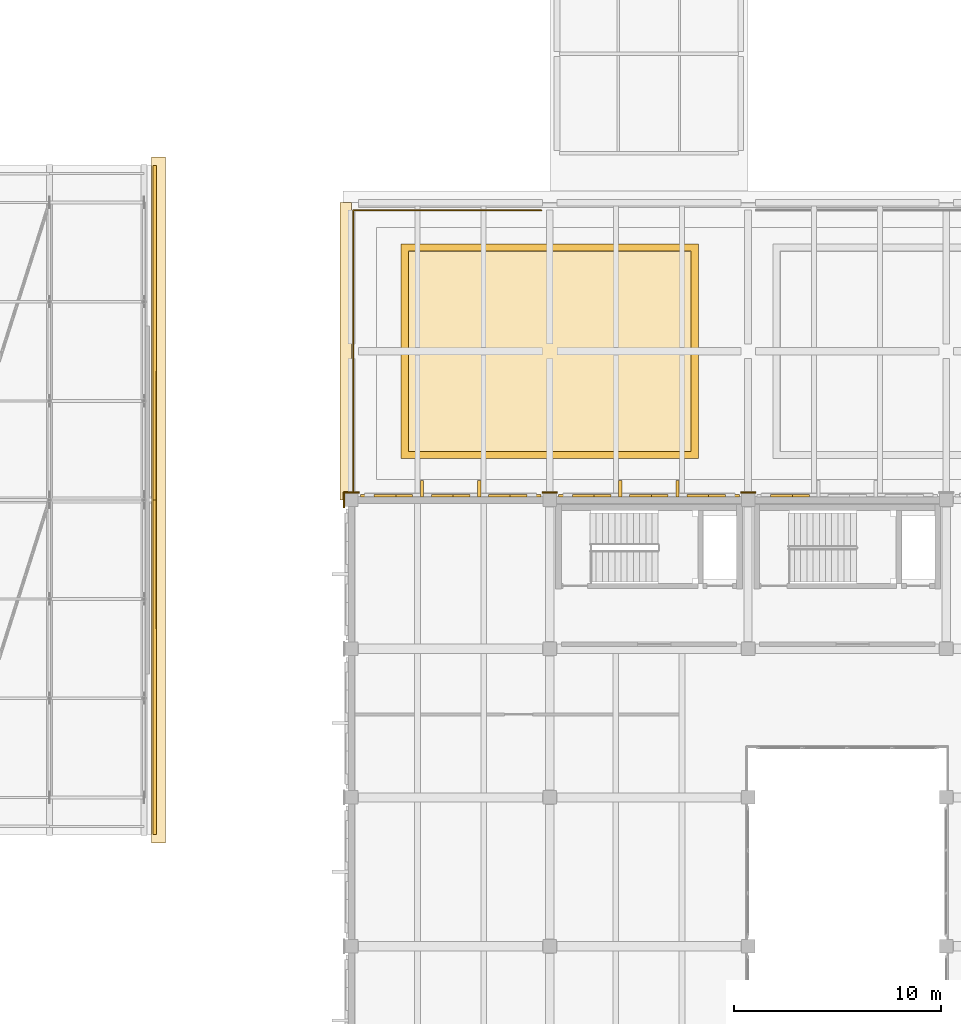
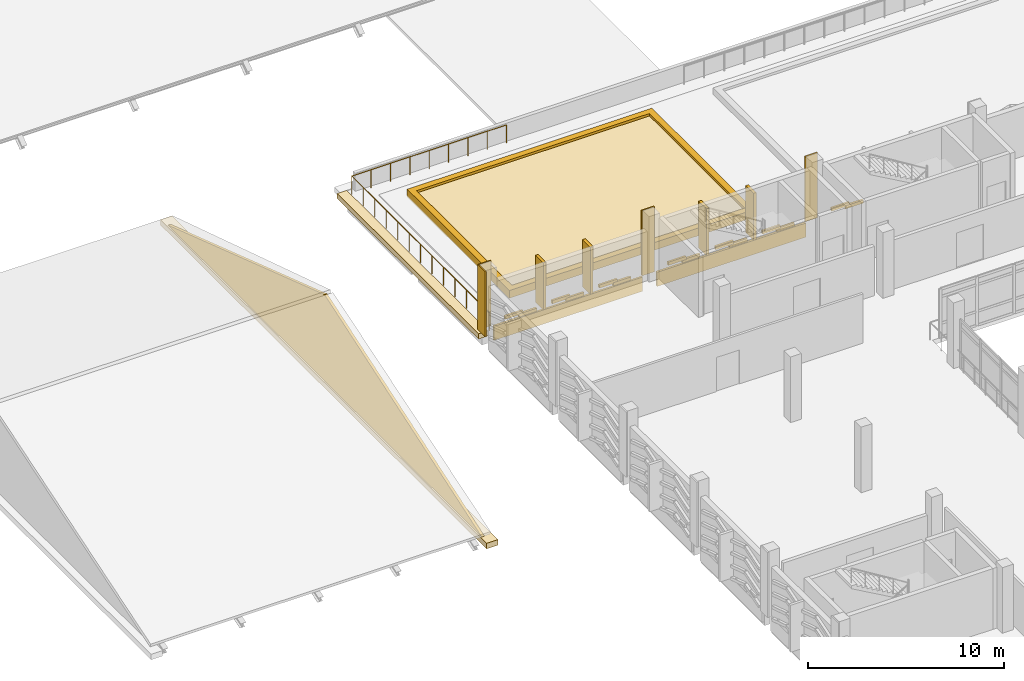
# One storey, part 125 of 134: 29 coverings, 1 railing.
"""IFC4 building model written with IfcOpenShell, lengths in metres."""

import ifcopenshell
import ifcopenshell.guid

model = None  # the IFC model being written
_history = None  # IfcOwnerHistory: only IFC2X3 demands one
_inside = {}  # id of a spatial element -> (the spatial element, [elements in it])
_under = {}  # id of a project, library or spatial element -> (it, [spatial elements below it])
_declared = {}  # id of a project -> (the project, [libraries it declares])
_typed = {}  # id of a type object -> (the type object, [elements of that type])
_made_of = {}  # id of a material, layer set ... -> (it, [elements and type objects made of it])


def new_model(schema):
    """Start an empty IFC model of exactly this schema.

    Asked for "IFC4X3", IfcOpenShell would pick the latest addendum, in which some entities
    have other attributes; the version numbers below select the first issue.
    IFC2X3 requires an IfcOwnerHistory on every rooted entity: one is made here for all.
    """
    global model, _history
    if schema == "IFC4X3":
        model = ifcopenshell.file(schema_version=(4, 3, 0, 0))
    else:
        model = ifcopenshell.file(schema=schema)
    _inside.clear()
    _under.clear()
    _declared.clear()
    _typed.clear()
    _made_of.clear()
    _history = None
    if model.schema == "IFC2X3":
        org = make("IfcOrganization", Name="unknown")
        user = make(
            "IfcPersonAndOrganization",
            ThePerson=make("IfcPerson", FamilyName="unknown"),
            TheOrganization=org,
        )
        app = make(
            "IfcApplication",
            ApplicationDeveloper=org,
            Version="unknown",
            ApplicationFullName="unknown",
            ApplicationIdentifier="unknown",
        )
        _history = make(
            "IfcOwnerHistory",
            OwningUser=user,
            OwningApplication=app,
            ChangeAction="ADDED",
            CreationDate=0,
        )
    return model


def make(cls, **values):
    """One entity of the class cls with the attributes given. An attribute that is None is left unset."""
    return model.create_entity(
        cls, **{name: value for name, value in values.items() if value is not None}
    )


def rooted(cls, **values):
    """An entity with a GlobalId (a new one), such as an element, a storey or a relation."""
    return make(cls, GlobalId=ifcopenshell.guid.new(), OwnerHistory=_history, **values)


def si_unit(unit_type, name, prefix=None):
    """IfcSIUnit, for example si_unit("LENGTHUNIT", "METRE", prefix="MILLI")."""
    return make("IfcSIUnit", UnitType=unit_type, Prefix=prefix, Name=name)


def assignment(units):
    """IfcUnitAssignment: the units of a project."""
    return None if units is None else make("IfcUnitAssignment", Units=units)


def point(xyz):
    """IfcCartesianPoint."""
    return None if xyz is None else make("IfcCartesianPoint", Coordinates=xyz)


def direction(xyz):
    """IfcDirection."""
    return None if xyz is None else make("IfcDirection", DirectionRatios=xyz)


def frame(location, z_axis=None, x_axis=None):
    """IfcAxis2Placement3D, a coordinate frame: its origin and axes. An axis left out is left unset."""
    return make(
        "IfcAxis2Placement3D",
        Location=point(location),
        Axis=direction(z_axis),
        RefDirection=direction(x_axis),
    )


def frame_2d(location, x_axis=None):
    """IfcAxis2Placement2D, a coordinate frame in the plane: its origin and x axis."""
    return make(
        "IfcAxis2Placement2D", Location=point(location), RefDirection=direction(x_axis)
    )


def origin():
    """The frame at (0, 0, 0) with its axes left unset."""
    return frame((0.0, 0.0, 0.0))


def origin_2d():
    """The frame at (0, 0) in the plane with its x axis left unset."""
    return frame_2d((0.0, 0.0))


def place(relative_to, where):
    """IfcLocalPlacement: puts the frame where relative to a parent placement (None: the world)."""
    return make(
        "IfcLocalPlacement", PlacementRelTo=relative_to, RelativePlacement=where
    )


def context(
    kind, dimensions, precision=None, world=None, true_north=None, identifier=None
):
    """IfcGeometricRepresentationContext, for example the 3D "Model" context."""
    return make(
        "IfcGeometricRepresentationContext",
        ContextIdentifier=identifier,
        ContextType=kind,
        CoordinateSpaceDimension=dimensions,
        Precision=precision,
        WorldCoordinateSystem=world,
        TrueNorth=true_north,
    )


def subcontext(parent, identifier, kind, view, scale=None):
    """IfcGeometricRepresentationSubContext, for example "Body" below "Model"."""
    return make(
        "IfcGeometricRepresentationSubContext",
        ContextIdentifier=identifier,
        ContextType=kind,
        ParentContext=parent,
        TargetScale=scale,
        TargetView=view,
    )


def project(units=None, contexts=None):
    """IfcProject with its units and contexts."""
    return rooted(
        "IfcProject",
        Name="project",
        RepresentationContexts=contexts,
        UnitsInContext=assignment(units),
    )


def spatial(cls, under=None, at=None, **own):
    """A site, building, storey or space (cls), placed at a placement, below another one or the project."""
    s = rooted(cls, ObjectPlacement=at, **own)
    if under is not None:
        _under.setdefault(under.id(), (under, []))[1].append(s)
    return s


def polyline(points):
    """IfcPolyline through the points."""
    return make("IfcPolyline", Points=[point(p) for p in points])


def profile(cls, at=None, kind="AREA", **sizes):
    """A parametric profile (cls). Its sizes go by their IFC names, for example OverallWidth=200.0."""
    return make(cls, ProfileType=kind, Position=at, **sizes)


def rectangle(**sizes):
    """IfcRectangleProfileDef."""
    return profile("IfcRectangleProfileDef", **sizes)


def circle(**sizes):
    """IfcCircleProfileDef."""
    return profile("IfcCircleProfileDef", **sizes)


def outline(outer, holes=None, kind="AREA"):
    """IfcArbitraryClosedProfileDef: a profile drawn as a closed curve; with holes, ...WithVoids."""
    if holes is None:
        return make("IfcArbitraryClosedProfileDef", ProfileType=kind, OuterCurve=outer)
    return make(
        "IfcArbitraryProfileDefWithVoids",
        ProfileType=kind,
        OuterCurve=outer,
        InnerCurves=holes,
    )


def extrude(swept, where, along, depth):
    """IfcExtrudedAreaSolid: the profile swept, set in the frame where, extruded along a direction by depth."""
    return make(
        "IfcExtrudedAreaSolid",
        SweptArea=swept,
        Position=where,
        ExtrudedDirection=direction(along),
        Depth=depth,
    )


def shape(context_of_items, identifier, shape_type, items):
    """IfcShapeRepresentation: the items that make up one representation, for example the "Body"."""
    return make(
        "IfcShapeRepresentation",
        ContextOfItems=context_of_items,
        RepresentationIdentifier=identifier,
        RepresentationType=shape_type,
        Items=items,
    )


def material(Name=None, Category=None):
    """IfcMaterial."""
    return make("IfcMaterial", Name=Name, Category=Category)


def layer(
    of_material, thickness, ventilated=None, Name=None, Category=None, Priority=None
):
    """IfcMaterialLayer: one layer of a wall or slab, of a material (None: an air gap)."""
    return make(
        "IfcMaterialLayer",
        Material=of_material,
        LayerThickness=thickness,
        IsVentilated=ventilated,
        Name=Name,
        Category=Category,
        Priority=Priority,
    )


def layer_set(layers, Name=None):
    """IfcMaterialLayerSet."""
    return make("IfcMaterialLayerSet", MaterialLayers=layers, LayerSetName=Name)


def made_of(thing, what):
    """Note that an element or type object is made of a material, layer set ...; save() writes the relation."""
    if what is not None:
        _made_of.setdefault(what.id(), (what, []))[1].append(thing)
    return thing


def type_object(cls, material=None, **own):
    """A type object (cls), such as IfcWallType, which elements share."""
    return made_of(rooted(cls, **own), material)


def element(
    cls,
    number,
    at=None,
    inside=None,
    cuts=None,
    type_object=None,
    material=None,
    context=None,
    identifier="Body",
    shape_type=None,
    held_by="IfcProductDefinitionShape",
    body=None,
    shapes=None,
    **own,
):
    """One element of the class cls, such as IfcWall. Its Tag is "e" and its number.

    at: its placement. inside: the storey or other place that contains it. cuts: it is an
    opening in that element (IfcRelVoidsElement). A single representation is given by context,
    identifier, shape_type and body (its items); several are given by shapes. held_by: the class
    of the entity that holds the representations. save() writes the other relations.
    """
    e = rooted(cls, Tag="e%d" % number, ObjectPlacement=at, **own)
    if body is not None:
        shapes = [shape(context, identifier, shape_type, body)]
    if shapes is not None:
        e.Representation = make(held_by, Representations=shapes)
    if inside is not None:
        _inside.setdefault(inside.id(), (inside, []))[1].append(e)
    if cuts is not None:
        rooted(
            "IfcRelVoidsElement", RelatingBuildingElement=cuts, RelatedOpeningElement=e
        )
    if type_object is not None:
        _typed.setdefault(type_object.id(), (type_object, []))[1].append(e)
    return made_of(e, material)


def aggregate(whole, parts):
    """IfcRelAggregates: a whole, such as a stair, and the parts it consists of."""
    return rooted("IfcRelAggregates", RelatingObject=whole, RelatedObjects=parts)


def save(model, path):
    """Write the relations noted so far, then the file.

    IfcRelAggregates (storeys below a building ...), IfcRelContainedInSpatialStructure (elements
    in a storey), IfcRelDefinesByType, IfcRelAssociatesMaterial and IfcRelDeclares: one each for
    every whole, place, type object, material and project.
    """
    for whole, parts in _under.values():
        aggregate(whole, parts)
    for where, things in _inside.values():
        rooted(
            "IfcRelContainedInSpatialStructure",
            RelatedElements=things,
            RelatingStructure=where,
        )
    for kind, things in _typed.values():
        rooted("IfcRelDefinesByType", RelatedObjects=things, RelatingType=kind)
    for what, things in _made_of.values():
        rooted("IfcRelAssociatesMaterial", RelatedObjects=things, RelatingMaterial=what)
    for by, libraries in _declared.values():
        rooted("IfcRelDeclares", RelatingContext=by, RelatedDefinitions=libraries)
    model.write(path)


model = new_model("IFC4")

# Units and contexts
model_context = context("Model", 3, precision=1e-05, world=origin(), true_north=direction((0.0, 1.0)))
body_context = subcontext(model_context, "Body", "Model", "MODEL_VIEW")
ifc_project = project(units=[si_unit("LENGTHUNIT", "METRE"), si_unit("AREAUNIT", "SQUARE_METRE"), si_unit("VOLUMEUNIT", "CUBIC_METRE"), si_unit("PLANEANGLEUNIT", "RADIAN"), si_unit("MASSUNIT", "GRAM", prefix="KILO")], contexts=[model_context])

# Site, building, storey
site_placement = place(None, origin())
site = spatial("IfcSite", under=ifc_project, at=site_placement, CompositionType="ELEMENT")
building_placement = place(site_placement, origin())
building = spatial("IfcBuilding", under=site, at=building_placement, Name="Asteropetra Specialist Clinic", CompositionType="ELEMENT")
storey_placement = place(building_placement, frame((0.0, 0.0, 8.5)))
storey = spatial("IfcBuildingStorey", under=building, at=storey_placement, Name="L02", CompositionType="ELEMENT", Elevation=8.5)

# Railing
ifc_material_1 = material(Name="Pentelic marble and bronze balustrade", Category="masonry")
railing_type = type_object("IfcRailingType", Name="BAL-STONE-1150", PredefinedType="BALUSTRADE", material=ifc_material_1)
railing_placement = place(storey_placement, frame((105.679931640625, 48.0, 0.0)))
element("IfcRailing", 1, at=railing_placement, inside=storey, type_object=railing_type, Name="Perimeter Guard BAL-V6-L02N-W", PredefinedType="BALUSTRADE", context=body_context, shape_type="SweptSolid", body=[
    extrude(circle(Radius=0.02392578125, at=origin_2d()), frame((0.0, 0.0, 1.1259765625), z_axis=(0.0, 1.0, 0.0), x_axis=(-1.0, 0.0, 0.0)), (0.0, 0.0, 1.0), 14.02001953125),
    extrude(circle(Radius=0.02392578125, at=origin_2d()), frame((0.0, 14.02001953125, 1.1259765625), z_axis=(1.0, 0.0, 0.0), x_axis=(0.0, 1.0, 0.0)), (0.0, 0.0, 1.0), 9.10009765625),
    extrude(circle(Radius=0.02099609375, at=origin_2d()), origin(), (0.0, 0.0, 1.0), 1.101806640625),
    extrude(circle(Radius=0.02099609375, at=origin_2d()), frame((0.0, 1.16845703125, 0.0)), (0.0, 0.0, 1.0), 1.101806640625),
    extrude(circle(Radius=0.02099609375, at=origin_2d()), frame((0.0, 2.336669921875, 0.0)), (0.0, 0.0, 1.0), 1.101806640625),
    extrude(circle(Radius=0.02099609375, at=origin_2d()), frame((0.0, 3.5048828125, 0.0)), (0.0, 0.0, 1.0), 1.101806640625),
    extrude(circle(Radius=0.02099609375, at=origin_2d()), frame((0.0, 4.67333984375, 0.0)), (0.0, 0.0, 1.0), 1.101806640625),
    extrude(circle(Radius=0.02099609375, at=origin_2d()), frame((0.0, 5.841796875, 0.0)), (0.0, 0.0, 1.0), 1.101806640625),
    extrude(circle(Radius=0.02099609375, at=origin_2d()), frame((0.0, 7.010009765625, 0.0)), (0.0, 0.0, 1.0), 1.101806640625),
    extrude(circle(Radius=0.02099609375, at=origin_2d()), frame((0.0, 8.17822265625, 0.0)), (0.0, 0.0, 1.0), 1.101806640625),
    extrude(circle(Radius=0.02099609375, at=origin_2d()), frame((0.0, 9.3466796875, 0.0)), (0.0, 0.0, 1.0), 1.101806640625),
    extrude(circle(Radius=0.02099609375, at=origin_2d()), frame((0.0, 10.51513671875, 0.0)), (0.0, 0.0, 1.0), 1.101806640625),
    extrude(circle(Radius=0.02099609375, at=origin_2d()), frame((0.0, 11.683349609375, 0.0)), (0.0, 0.0, 1.0), 1.101806640625),
    extrude(circle(Radius=0.02099609375, at=origin_2d()), frame((0.0, 12.8515625, 0.0)), (0.0, 0.0, 1.0), 1.101806640625),
    extrude(circle(Radius=0.02099609375, at=origin_2d()), frame((0.0, 14.02001953125, 0.0)), (0.0, 0.0, 1.0), 1.101806640625),
    extrude(circle(Radius=0.02099609375, at=origin_2d()), frame((1.137451171875, 14.02001953125, 0.0)), (0.0, 0.0, 1.0), 1.101806640625),
    extrude(circle(Radius=0.02099609375, at=origin_2d()), frame((2.27490234375, 14.02001953125, 0.0)), (0.0, 0.0, 1.0), 1.101806640625),
    extrude(circle(Radius=0.02099609375, at=origin_2d()), frame((3.41259765625, 14.02001953125, 0.0)), (0.0, 0.0, 1.0), 1.101806640625),
    extrude(circle(Radius=0.02099609375, at=origin_2d()), frame((4.550048828125, 14.02001953125, 0.0)), (0.0, 0.0, 1.0), 1.101806640625),
    extrude(circle(Radius=0.02099609375, at=origin_2d()), frame((5.6875, 14.02001953125, 0.0)), (0.0, 0.0, 1.0), 1.101806640625),
    extrude(circle(Radius=0.02099609375, at=origin_2d()), frame((6.8251953125, 14.02001953125, 0.0)), (0.0, 0.0, 1.0), 1.101806640625),
    extrude(circle(Radius=0.02099609375, at=origin_2d()), frame((7.962646484375, 14.02001953125, 0.0)), (0.0, 0.0, 1.0), 1.101806640625),
    extrude(circle(Radius=0.02099609375, at=origin_2d()), frame((9.10009765625, 14.02001953125, 0.0)), (0.0, 0.0, 1.0), 1.101806640625),
])

# Coverings
ifc_material_2 = material(Name="Chevron aegean mid")
ifc_layer_1 = layer(ifc_material_2, 0.1201171875)
ifc_layer_set_1 = layer_set([ifc_layer_1], Name="Chevron aegean mid")
covering_type_1 = type_object("IfcCoveringType", Name="CLD-AEG-MID", PredefinedType="CLADDING", material=ifc_layer_set_1)
covering_1_placement = place(storey_placement, frame((110.39990234375, 48.197509765625, -0.800048828125), z_axis=(0.0, 0.0, 1.0), x_axis=(1.0, 0.0, 0.0)))
element("IfcCovering", 2, at=covering_1_placement, inside=storey, type_object=covering_type_1, Name="Chevron Spandrel Band CV-2152", PredefinedType="CLADDING", context=body_context, shape_type="SweptSolid", body=[
    extrude(rectangle(XDim=8.75, YDim=0.1201171875, at=origin_2d()), origin(), (0.0, 0.0, 1.0), 0.8798828125),
])
for number, where, z_axis, x_axis, name in (
    (3, (113.57958984375, 48.21240234375, 0.1201171875), (0.0, 0.0, 1.0), (1.0, 0.0, 0.0), "Chevron Ceramic Band CV-2153"),
    (4, (112.760498046875, 48.21240234375, 0.26025390625), (0.0, 0.0, 1.0), (1.0, 0.0, 0.0), "Chevron Ceramic Band CV-2154"),
    (5, (110.8095703125, 48.21240234375, 0.1201171875), (0.0, 0.0, 1.0), (1.0, 0.0, 0.0), "Chevron Ceramic Band CV-2155"),
    (6, (109.990478515625, 48.21240234375, 0.26025390625), (0.0, 0.0, 1.0), (1.0, 0.0, 0.0), "Chevron Ceramic Band CV-2156"),
    (7, (108.03955078125, 48.21240234375, 0.1201171875), (0.0, 0.0, 1.0), (1.0, 0.0, 0.0), "Chevron Ceramic Band CV-2157"),
    (8, (107.220458984375, 48.21240234375, 0.26025390625), (0.0, 0.0, 1.0), (1.0, 0.0, 0.0), "Chevron Ceramic Band CV-2158"),
):
    element("IfcCovering", number, at=place(storey_placement, frame(where, z_axis=z_axis, x_axis=x_axis)), inside=storey, type_object=covering_type_1, Name=name, PredefinedType="CLADDING", context=body_context, shape_type="SweptSolid", body=[
        extrude(rectangle(XDim=1.052978515625, YDim=0.1201171875, at=origin_2d()), origin(), (0.0, 0.0, 1.0), 0.199951171875),
    ])
covering_2_placement = place(storey_placement, frame((120.0, 48.197509765625, -0.800048828125), z_axis=(0.0, 0.0, 1.0), x_axis=(1.0, 0.0, 0.0)))
element("IfcCovering", 9, at=covering_2_placement, inside=storey, type_object=covering_type_1, Name="Chevron Spandrel Band CV-2166", PredefinedType="CLADDING", context=body_context, shape_type="SweptSolid", body=[
    extrude(rectangle(XDim=8.75, YDim=0.1201171875, at=origin_2d()), origin(), (0.0, 0.0, 1.0), 0.8798828125),
])
for number, where, z_axis, x_axis, name in (
    (10, (123.179443359375, 48.21240234375, 0.1201171875), (0.0, 0.0, 1.0), (1.0, 0.0, 0.0), "Chevron Ceramic Band CV-2167"),
    (11, (122.360595703125, 48.21240234375, 0.26025390625), (0.0, 0.0, 1.0), (1.0, 0.0, 0.0), "Chevron Ceramic Band CV-2168"),
    (12, (120.409423828125, 48.21240234375, 0.1201171875), (0.0, 0.0, 1.0), (1.0, 0.0, 0.0), "Chevron Ceramic Band CV-2169"),
    (13, (119.590576171875, 48.21240234375, 0.26025390625), (0.0, 0.0, 1.0), (1.0, 0.0, 0.0), "Chevron Ceramic Band CV-2170"),
    (14, (117.639404296875, 48.21240234375, 0.1201171875), (0.0, 0.0, 1.0), (1.0, 0.0, 0.0), "Chevron Ceramic Band CV-2171"),
    (15, (116.820556640625, 48.21240234375, 0.26025390625), (0.0, 0.0, 1.0), (1.0, 0.0, 0.0), "Chevron Ceramic Band CV-2172"),
    (16, (127.239501953125, 48.21240234375, 0.1201171875), (0.0, 0.0, 1.0), (1.0, 0.0, 0.0), "Chevron Ceramic Band CV-2185"),
    (17, (126.42041015625, 48.21240234375, 0.26025390625), (0.0, 0.0, 1.0), (1.0, 0.0, 0.0), "Chevron Ceramic Band CV-2186"),
):
    element("IfcCovering", number, at=place(storey_placement, frame(where, z_axis=z_axis, x_axis=x_axis)), inside=storey, type_object=covering_type_1, Name=name, PredefinedType="CLADDING", context=body_context, shape_type="SweptSolid", body=[
        extrude(rectangle(XDim=1.052978515625, YDim=0.1201171875, at=origin_2d()), origin(), (0.0, 0.0, 1.0), 0.199951171875),
    ])
ifc_material_3 = material(Name="Pentelic marble ashlar", Category="masonry")
ifc_layer_2 = layer(ifc_material_3, 0.159912109375)
ifc_layer_set_2 = layer_set([ifc_layer_2], Name="Pentelic marble ashlar")
covering_type_2 = type_object("IfcCoveringType", Name="CRN-ENTAB-600", PredefinedType="MOLDING", material=ifc_layer_set_2)
covering_3_placement = place(storey_placement, frame((105.60009765625, 48.35693359375, 0.02001953125), z_axis=(0.0, 0.0, 1.0), x_axis=(1.0, 0.0, 0.0)))
element("IfcCovering", 18, at=covering_3_placement, inside=storey, type_object=covering_type_2, Name="Neoclassical Pilaster Facing CM-1117", PredefinedType="MOLDING", context=body_context, shape_type="SweptSolid", body=[
    extrude(rectangle(XDim=0.72998046875, YDim=0.080078125, at=origin_2d()), origin(), (0.0, 0.0, 1.0), 4.0400390625),
])
covering_4_placement = place(storey_placement, frame((105.242919921875, 48.0, 0.02001953125), z_axis=(0.0, 0.0, 1.0), x_axis=(1.0, 0.0, 0.0)))
element("IfcCovering", 19, at=covering_4_placement, inside=storey, type_object=covering_type_2, Name="Neoclassical Pilaster Facing CM-1118", PredefinedType="MOLDING", context=body_context, shape_type="SweptSolid", body=[
    extrude(rectangle(XDim=0.080078125, YDim=0.72998046875, at=origin_2d()), origin(), (0.0, 0.0, 1.0), 4.0400390625),
])
for number, where, z_axis, x_axis, name in (
    (20, (115.199951171875, 48.35693359375, 0.02001953125), (0.0, 0.0, 1.0), (1.0, 0.0, 0.0), "Neoclassical Pilaster Facing CM-1120"),
    (21, (124.800048828125, 48.35693359375, 0.02001953125), (0.0, 0.0, 1.0), (1.0, 0.0, 0.0), "Neoclassical Pilaster Facing CM-1122"),
):
    element("IfcCovering", number, at=place(storey_placement, frame(where, z_axis=z_axis, x_axis=x_axis)), inside=storey, type_object=covering_type_2, Name=name, PredefinedType="MOLDING", context=body_context, shape_type="SweptSolid", body=[
        extrude(rectangle(XDim=0.72998046875, YDim=0.080078125, at=origin_2d()), origin(), (0.0, 0.0, 1.0), 4.0400390625),
    ])
covering_5_placement = place(storey_placement, frame((96.159912109375, 31.800048828125, 0.199951171875), z_axis=(0.99999325335, 0.0, 0.003673316614), x_axis=(0.0, 1.0, 0.0)))
element("IfcCovering", 22, at=covering_5_placement, inside=storey, type_object=covering_type_2, Name="Classical Pediment Tympanum Face TF-011", PredefinedType="MOLDING", context=body_context, shape_type="SweptSolid", body=[
    extrude(outline(polyline([(0.0, 0.0), (32.39990234375, 0.0), (16.199951171875, 5.44998794103741), (0.0, 0.0)])), origin(), (0.0, 0.0, -1.0), 0.159912109375),
])
covering_6_placement = place(storey_placement, frame((96.260009765625, 48.0, -0.06982421875), z_axis=(0.0, 0.0, 1.0), x_axis=(1.0, 0.0, 0.0)))
element("IfcCovering", 23, at=covering_6_placement, inside=storey, type_object=covering_type_2, Name="Pediment Geison Cornice CR-012", PredefinedType="MOLDING", context=body_context, shape_type="SweptSolid", body=[
    extrude(rectangle(XDim=0.679931640625, YDim=33.199951171875, at=origin_2d()), origin(), (0.0, 0.0, 1.0), 0.340087890625),
])
covering_7_placement = place(storey_placement, frame((105.320068359375, 55.199951171875, -0.2802734375), z_axis=(0.0, 0.0, 1.0), x_axis=(1.0, 0.0, 0.0)))
element("IfcCovering", 24, at=covering_7_placement, inside=storey, type_object=covering_type_2, Name="Classical Entablature Cornice EC-032", PredefinedType="MOLDING", context=body_context, shape_type="SweptSolid", body=[
    extrude(rectangle(XDim=0.56005859375, YDim=14.39990234375, at=origin_2d()), origin(), (0.0, 0.0, 1.0), 0.320068359375),
])
covering_8_placement = place(storey_placement, origin())
element("IfcCovering", 25, at=covering_8_placement, inside=storey, type_object=covering_type_2, Name="Planted Terrace Planter Curb PTB-V6-01C", PredefinedType="MOLDING", context=body_context, shape_type="SweptSolid", body=[
    extrude(outline(polyline([(108.0, 50.0), (122.39990234375, 50.0), (122.39990234375, 60.39990234375), (108.0, 60.39990234375), (108.0, 50.0)]), holes=[polyline([(108.35009765625, 50.35009765625), (122.050048828125, 50.35009765625), (122.050048828125, 60.050048828125), (108.35009765625, 60.050048828125), (108.35009765625, 50.35009765625)])]), origin(), (0.0, 0.0, 1.0), 0.47998046875),
])
ifc_material_4 = material(Name="Pentelic marble solar fin", Category="masonry")
ifc_layer_3 = layer(ifc_material_4, 0.080078125)
ifc_layer_set_3 = layer_set([ifc_layer_3], Name="Pentelic marble solar fin")
covering_type_3 = type_object("IfcCoveringType", Name="FIN-SOLAR-800", PredefinedType="MOLDING", material=ifc_layer_set_3)
for number, where, z_axis, x_axis, name in (
    (26, (111.784912109375, 48.552490234375, 0.070068359375), (0.0, 0.0, 1.0), (1.0, 0.0, 0.0), "Solar Shading Fin FN-0186"),
    (27, (109.014892578125, 48.552490234375, 0.070068359375), (0.0, 0.0, 1.0), (1.0, 0.0, 0.0), "Solar Shading Fin FN-0187"),
    (28, (121.385009765625, 48.552490234375, 0.070068359375), (0.0, 0.0, 1.0), (1.0, 0.0, 0.0), "Solar Shading Fin FN-0190"),
    (29, (118.614990234375, 48.552490234375, 0.070068359375), (0.0, 0.0, 1.0), (1.0, 0.0, 0.0), "Solar Shading Fin FN-0191"),
):
    element("IfcCovering", number, at=place(storey_placement, frame(where, z_axis=z_axis, x_axis=x_axis)), inside=storey, type_object=covering_type_3, Name=name, PredefinedType="MOLDING", context=body_context, shape_type="SweptSolid", body=[
        extrude(rectangle(XDim=0.159912109375, YDim=0.800048828125, at=origin_2d()), origin(), (0.0, 0.0, 1.0), 2.919921875),
    ])
ifc_material_5 = material(Name="Planted roof growing medium")
ifc_layer_4 = layer(ifc_material_5, 0.080078125)
ifc_layer_set_4 = layer_set([ifc_layer_4], Name="Planted roof growing medium")
covering_type_4 = type_object("IfcCoveringType", Name="RFG-GREEN-V2", PredefinedType="ROOFING", material=ifc_layer_set_4)
covering_9_placement = place(storey_placement, origin())
element("IfcCovering", 30, at=covering_9_placement, inside=storey, type_object=covering_type_4, Name="Planted Terrace Greenery Bed PTB-V6-01G", PredefinedType="ROOFING", context=body_context, shape_type="SweptSolid", body=[
    extrude(outline(polyline([(108.360107421875, 50.360107421875), (122.0400390625, 50.360107421875), (122.0400390625, 60.0400390625), (108.360107421875, 60.0400390625), (108.360107421875, 50.360107421875)])), origin(), (0.0, 0.0, 1.0), 0.340087890625),
])

save(model, "model.ifc")
